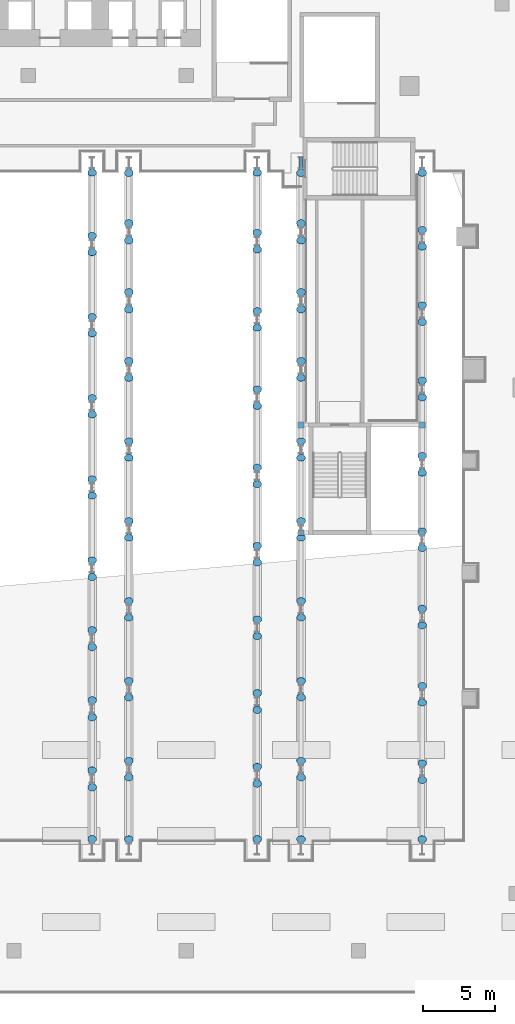
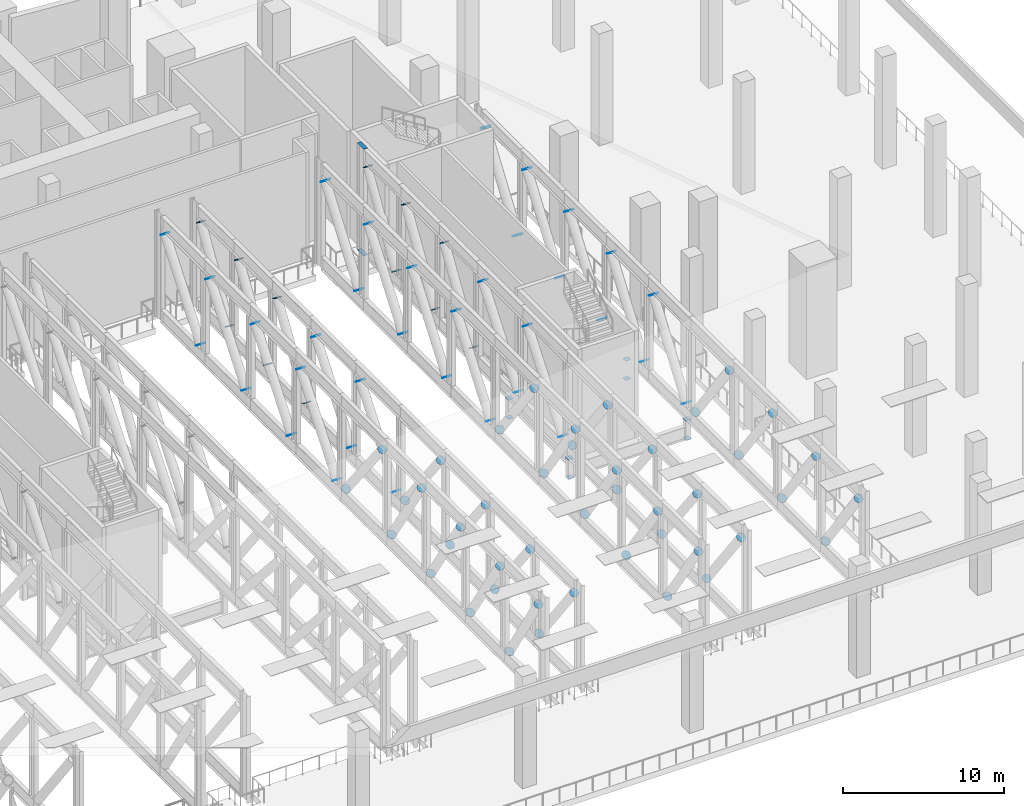
# One storey, part 19 of 33: 100 discrete accessories.
"""IFC4 building model written with IfcOpenShell, lengths in metres."""

from ifc_helpers import new_model, si_unit, direction, frame, origin, origin_2d, place, context, subcontext, project, spatial, rectangle, circle, extrude, material, material_profile, profile_set, type_object, element, save


model = new_model("IFC4")

# Units and contexts
model_context = context("Model", 3, precision=1e-05, world=origin(), true_north=direction((0.0, 1.0)))
body_context = subcontext(model_context, "Body", "Model", "MODEL_VIEW")
ifc_project = project(units=[si_unit("LENGTHUNIT", "METRE"), si_unit("AREAUNIT", "SQUARE_METRE"), si_unit("VOLUMEUNIT", "CUBIC_METRE"), si_unit("PLANEANGLEUNIT", "RADIAN"), si_unit("MASSUNIT", "GRAM", prefix="KILO")], contexts=[model_context])

# Site, building, storey
site_placement = place(None, origin())
site = spatial("IfcSite", under=ifc_project, at=site_placement, CompositionType="ELEMENT")
building_placement = place(site_placement, origin())
building = spatial("IfcBuilding", under=site, at=building_placement, Name="Wharfspan Tower", CompositionType="ELEMENT")
storey_placement = place(building_placement, frame((0.0, 0.0, 33.0)))
storey = spatial("IfcBuildingStorey", under=building, at=storey_placement, Name="L05", CompositionType="ELEMENT", Elevation=33.0)

# Discrete accessories
ifc_material_1 = material(Name="Steel S460NH", Category="steel")
ifc_material_profile_1 = material_profile(ifc_material_1, circle(Radius=0.304932, at=origin_2d()))
ifc_profile_set_1 = profile_set([ifc_material_profile_1], Name="Steel S460NH")
discrete_accessory_type_1 = type_object("IfcDiscreteAccessoryType", Name="End plate CHS 610x30", PredefinedType="BRACKET", material=ifc_profile_set_1)
discrete_accessory_1_placement = place(storey_placement, frame((57.441895, -21.215576, 6.94458), z_axis=(0.0, 0.543251, -0.83957), x_axis=(-1.0, 0.0, 0.0)))
element("IfcDiscreteAccessory", 1, at=discrete_accessory_1_placement, inside=storey, type_object=discrete_accessory_type_1, Name="End plate CHS 610x30", PredefinedType="BRACKET", context=body_context, shape_type="SweptSolid", body=[
    extrude(circle(Radius=0.304932, at=origin_2d()), origin(), (0.0, 0.0, 1.0), 0.009766),
])
discrete_accessory_2_placement = place(storey_placement, frame((57.441895, -17.607666, 1.163818), z_axis=(0.0, 0.514496, -0.857493), x_axis=(-1.0, 0.0, 0.0)))
element("IfcDiscreteAccessory", 2, at=discrete_accessory_2_placement, inside=storey, type_object=discrete_accessory_type_1, Name="End plate CHS 610x30", PredefinedType="BRACKET", context=body_context, shape_type="SweptSolid", body=[
    extrude(circle(Radius=0.304932, at=origin_2d()), origin(), (0.0, 0.0, 1.0), 0.01001),
])
for number, where, z_axis, x_axis, name in (
    (3, (57.441895, -16.429443, 6.941406), (0.0, 0.543251, -0.83957), (-1.0, 0.0, 0.0), "End plate CHS 610x30"),
    (4, (57.441895, -12.720947, 1.166992), (0.0, 0.543251, -0.83957), (-1.0, 0.0, 0.0), "End plate CHS 610x30"),
    (5, (57.441895, -11.544434, 6.941406), (0.0, 0.543251, -0.83957), (-1.0, 0.0, 0.0), "End plate CHS 610x30"),
):
    element("IfcDiscreteAccessory", number, at=place(storey_placement, frame(where, z_axis=z_axis, x_axis=x_axis)), inside=storey, type_object=discrete_accessory_type_1, Name=name, PredefinedType="BRACKET", context=body_context, shape_type="SweptSolid", body=[
        extrude(circle(Radius=0.304932, at=origin_2d()), origin(), (0.0, 0.0, 1.0), 0.009766),
    ])
discrete_accessory_3_placement = place(storey_placement, frame((57.441895, -7.836914, 1.166992), z_axis=(0.0, 0.532172, -0.846637), x_axis=(-1.0, 0.0, 0.0)))
element("IfcDiscreteAccessory", 6, at=discrete_accessory_3_placement, inside=storey, type_object=discrete_accessory_type_1, Name="End plate CHS 610x30", PredefinedType="BRACKET", context=body_context, shape_type="SweptSolid", body=[
    extrude(circle(Radius=0.304932, at=origin_2d()), origin(), (0.0, 0.0, 1.0), 0.01001),
])
for number, where, z_axis, x_axis, name in (
    (7, (57.441895, -6.6604, 6.941406), (0.0, 0.543251, -0.83957), (-1.0, 0.0, 0.0), "End plate CHS 610x30"),
    (8, (57.441895, -2.951904, 1.166992), (0.0, 0.543251, -0.83957), (-1.0, 0.0, 0.0), "End plate CHS 610x30"),
):
    element("IfcDiscreteAccessory", number, at=place(storey_placement, frame(where, z_axis=z_axis, x_axis=x_axis)), inside=storey, type_object=discrete_accessory_type_1, Name=name, PredefinedType="BRACKET", context=body_context, shape_type="SweptSolid", body=[
        extrude(circle(Radius=0.304932, at=origin_2d()), origin(), (0.0, 0.0, 1.0), 0.009766),
    ])
for number, where, z_axis, x_axis, name in (
    (9, (57.441895, -1.791016, 6.918213), (0.0, 0.603858, -0.797092), (-1.0, 0.0, 0.0), "End plate CHS 610x30"),
    (10, (57.441895, 2.714844, 1.189697), (0.0, 0.615644, -0.788024), (-1.0, 0.0, 0.0), "End plate CHS 610x30"),
    (11, (57.441895, 8.373047, 6.918213), (0.0, -0.603858, -0.797092), (1.0, 0.0, 0.0), "End plate CHS 610x30"),
    (12, (57.441895, 3.867188, 1.189697), (0.0, -0.615644, -0.788024), (1.0, 0.0, 0.0), "End plate CHS 610x30"),
    (13, (57.441895, 14.026123, 6.917969), (0.0, -0.630593, -0.776114), (1.0, 0.0, 0.0), "End plate CHS 610x30"),
    (14, (57.441895, 9.519043, 1.189697), (0.0, -0.615644, -0.788024), (1.0, 0.0, 0.0), "End plate CHS 610x30"),
    (15, (57.441895, 19.677979, 6.918213), (0.0, -0.603858, -0.797092), (1.0, 0.0, 0.0), "End plate CHS 610x30"),
    (16, (57.441895, 15.172119, 1.189697), (0.0, -0.615644, -0.788024), (1.0, 0.0, 0.0), "End plate CHS 610x30"),
    (17, (57.441895, 25.231201, 6.920898), (0.0, -0.603858, -0.797092), (1.0, 0.0, 0.0), "End plate CHS 610x30"),
    (18, (57.441895, 20.825928, 1.187012), (0.0, -0.615644, -0.788024), (1.0, 0.0, 0.0), "End plate CHS 610x30"),
    (19, (60.0, -21.229248, 6.92334), (0.0, 0.588172, -0.808736), (-1.0, 0.0, 0.0), "End plate CHS 610x30"),
    (20, (60.0, -16.912598, 1.184814), (0.0, 0.588172, -0.808736), (-1.0, 0.0, 0.0), "End plate CHS 610x30"),
    (21, (60.0, -15.76123, 6.92041), (0.0, 0.615644, -0.788024), (-1.0, 0.0, 0.0), "End plate CHS 610x30"),
    (22, (60.0, -11.344727, 1.1875), (0.0, 0.603858, -0.797092), (-1.0, 0.0, 0.0), "End plate CHS 610x30"),
    (23, (60.0, -10.195312, 6.92041), (0.0, 0.615644, -0.788024), (-1.0, 0.0, 0.0), "End plate CHS 610x30"),
    (24, (60.0, -5.777832, 1.1875), (0.0, 0.603858, -0.797092), (-1.0, 0.0, 0.0), "End plate CHS 610x30"),
    (25, (60.0, -4.628418, 6.92041), (0.0, 0.615644, -0.788024), (-1.0, 0.0, 0.0), "End plate CHS 610x30"),
    (26, (60.0, -0.210693, 1.1875), (0.0, 0.603858, -0.797092), (-1.0, 0.0, 0.0), "End plate CHS 610x30"),
    (27, (60.0, 5.361328, 6.92041), (0.0, -0.615644, -0.788024), (1.0, 0.0, 0.0), "End plate CHS 610x30"),
    (28, (60.0, 0.944824, 1.1875), (0.0, -0.603858, -0.797092), (1.0, 0.0, 0.0), "End plate CHS 610x30"),
    (29, (60.0, 10.928223, 6.92041), (0.0, -0.615644, -0.788024), (1.0, 0.0, 0.0), "End plate CHS 610x30"),
    (30, (60.0, 6.510742, 1.1875), (0.0, -0.603858, -0.797092), (1.0, 0.0, 0.0), "End plate CHS 610x30"),
    (31, (60.0, 15.712891, 6.944336), (0.0, -0.532172, -0.846637), (1.0, 0.0, 0.0), "End plate CHS 610x30"),
    (32, (60.0, 12.092529, 1.164307), (0.0, -0.532172, -0.846637), (1.0, 0.0, 0.0), "End plate CHS 610x30"),
    (33, (60.0, 20.512695, 6.944336), (0.0, -0.514496, -0.857493), (1.0, 0.0, 0.0), "End plate CHS 610x30"),
    (34, (60.0, 16.892578, 1.164307), (0.0, -0.532172, -0.846637), (1.0, 0.0, 0.0), "End plate CHS 610x30"),
    (35, (60.0, 25.213867, 6.94751), (0.0, -0.532172, -0.846637), (1.0, 0.0, 0.0), "End plate CHS 610x30"),
    (36, (60.0, 21.694336, 1.160889), (0.0, -0.514496, -0.857493), (1.0, 0.0, 0.0), "End plate CHS 610x30"),
    (37, (68.941895, -21.220703, 6.936523), (0.0, 0.560309, -0.828283), (-1.0, 0.0, 0.0), "End plate CHS 610x30"),
    (38, (68.941895, -17.352051, 1.171875), (0.0, 0.560309, -0.828283), (-1.0, 0.0, 0.0), "End plate CHS 610x30"),
    (39, (68.941895, -16.183594, 6.93335), (0.0, 0.560309, -0.828283), (-1.0, 0.0, 0.0), "End plate CHS 610x30"),
):
    element("IfcDiscreteAccessory", number, at=place(storey_placement, frame(where, z_axis=z_axis, x_axis=x_axis)), inside=storey, type_object=discrete_accessory_type_1, Name=name, PredefinedType="BRACKET", context=body_context, shape_type="SweptSolid", body=[
        extrude(circle(Radius=0.304932, at=origin_2d()), origin(), (0.0, 0.0, 1.0), 0.01001),
    ])
discrete_accessory_4_placement = place(storey_placement, frame((68.941895, -12.213135, 1.175049), z_axis=(0.0, 0.576683, -0.816968), x_axis=(-1.0, 0.0, 0.0)))
element("IfcDiscreteAccessory", 40, at=discrete_accessory_4_placement, inside=storey, type_object=discrete_accessory_type_1, Name="End plate CHS 610x30", PredefinedType="BRACKET", context=body_context, shape_type="SweptSolid", body=[
    extrude(circle(Radius=0.304932, at=origin_2d()), origin(), (0.0, 0.0, 1.0), 0.010254),
])
for number, where, z_axis, x_axis, name in (
    (41, (68.941895, -11.046631, 6.93335), (0.0, 0.560309, -0.828283), (-1.0, 0.0, 0.0), "End plate CHS 610x30"),
    (42, (68.941895, -7.077148, 1.174805), (0.0, 0.588172, -0.808736), (-1.0, 0.0, 0.0), "End plate CHS 610x30"),
    (43, (68.941895, -5.910645, 6.93335), (0.0, 0.560309, -0.828283), (-1.0, 0.0, 0.0), "End plate CHS 610x30"),
    (44, (68.941895, -1.941162, 1.174805), (0.0, 0.588172, -0.808736), (-1.0, 0.0, 0.0), "End plate CHS 610x30"),
    (45, (68.941895, -0.781006, 6.923828), (0.0, 0.603858, -0.797092), (-1.0, 0.0, 0.0), "End plate CHS 610x30"),
):
    element("IfcDiscreteAccessory", number, at=place(storey_placement, frame(where, z_axis=z_axis, x_axis=x_axis)), inside=storey, type_object=discrete_accessory_type_1, Name=name, PredefinedType="BRACKET", context=body_context, shape_type="SweptSolid", body=[
        extrude(circle(Radius=0.304932, at=origin_2d()), origin(), (0.0, 0.0, 1.0), 0.01001),
    ])
discrete_accessory_5_placement = place(storey_placement, frame((68.941895, 3.516113, 1.184082), z_axis=(0.0, 0.6, -0.8), x_axis=(-1.0, 0.0, 0.0)))
element("IfcDiscreteAccessory", 46, at=discrete_accessory_5_placement, inside=storey, type_object=discrete_accessory_type_1, Name="End plate CHS 610x30", PredefinedType="BRACKET", context=body_context, shape_type="SweptSolid", body=[
    extrude(circle(Radius=0.304932, at=origin_2d()), origin(), (0.0, 0.0, 1.0), 0.009766),
])
for number, where, z_axis, x_axis, name in (
    (47, (68.941895, 8.9729, 6.923828), (0.0, -0.588172, -0.808736), (1.0, 0.0, 0.0), "End plate CHS 610x30"),
    (48, (68.941895, 4.676025, 1.184082), (0.0, -0.615644, -0.788024), (1.0, 0.0, 0.0), "End plate CHS 610x30"),
    (49, (68.941895, 14.424072, 6.923828), (0.0, -0.603858, -0.797092), (1.0, 0.0, 0.0), "End plate CHS 610x30"),
):
    element("IfcDiscreteAccessory", number, at=place(storey_placement, frame(where, z_axis=z_axis, x_axis=x_axis)), inside=storey, type_object=discrete_accessory_type_1, Name=name, PredefinedType="BRACKET", context=body_context, shape_type="SweptSolid", body=[
        extrude(circle(Radius=0.304932, at=origin_2d()), origin(), (0.0, 0.0, 1.0), 0.01001),
    ])
discrete_accessory_6_placement = place(storey_placement, frame((68.941895, 10.126953, 1.184082), z_axis=(0.0, -0.6, -0.8), x_axis=(1.0, 0.0, 0.0)))
element("IfcDiscreteAccessory", 50, at=discrete_accessory_6_placement, inside=storey, type_object=discrete_accessory_type_1, Name="End plate CHS 610x30", PredefinedType="BRACKET", context=body_context, shape_type="SweptSolid", body=[
    extrude(circle(Radius=0.304932, at=origin_2d()), origin(), (0.0, 0.0, 1.0), 0.009766),
])
discrete_accessory_7_placement = place(storey_placement, frame((68.941895, 19.875, 6.923828), z_axis=(0.0, -0.603858, -0.797092), x_axis=(1.0, 0.0, 0.0)))
element("IfcDiscreteAccessory", 51, at=discrete_accessory_7_placement, inside=storey, type_object=discrete_accessory_type_1, Name="End plate CHS 610x30", PredefinedType="BRACKET", context=body_context, shape_type="SweptSolid", body=[
    extrude(circle(Radius=0.304932, at=origin_2d()), origin(), (0.0, 0.0, 1.0), 0.01001),
])
discrete_accessory_8_placement = place(storey_placement, frame((68.941895, 15.577881, 1.184082), z_axis=(0.0, -0.6, -0.8), x_axis=(1.0, 0.0, 0.0)))
element("IfcDiscreteAccessory", 52, at=discrete_accessory_8_placement, inside=storey, type_object=discrete_accessory_type_1, Name="End plate CHS 610x30", PredefinedType="BRACKET", context=body_context, shape_type="SweptSolid", body=[
    extrude(circle(Radius=0.304932, at=origin_2d()), origin(), (0.0, 0.0, 1.0), 0.009766),
])
for number, where, z_axis, x_axis, name in (
    (53, (68.941895, 25.227051, 6.926758), (0.0, -0.588172, -0.808736), (1.0, 0.0, 0.0), "End plate CHS 610x30"),
    (54, (68.941895, 21.030762, 1.181396), (0.0, -0.588172, -0.808736), (1.0, 0.0, 0.0), "End plate CHS 610x30"),
    (55, (72.0, -21.229248, 6.92334), (0.0, 0.588172, -0.808736), (-1.0, 0.0, 0.0), "End plate CHS 610x30"),
    (56, (72.0, -16.912598, 1.184814), (0.0, 0.588172, -0.808736), (-1.0, 0.0, 0.0), "End plate CHS 610x30"),
    (57, (72.0, -15.76123, 6.92041), (0.0, 0.615644, -0.788024), (-1.0, 0.0, 0.0), "End plate CHS 610x30"),
    (58, (72.0, -11.344727, 1.1875), (0.0, 0.603858, -0.797092), (-1.0, 0.0, 0.0), "End plate CHS 610x30"),
    (59, (72.0, -10.195312, 6.92041), (0.0, 0.615644, -0.788024), (-1.0, 0.0, 0.0), "End plate CHS 610x30"),
    (60, (72.0, -5.777832, 1.1875), (0.0, 0.603858, -0.797092), (-1.0, 0.0, 0.0), "End plate CHS 610x30"),
    (61, (72.0, -4.628418, 6.92041), (0.0, 0.615644, -0.788024), (-1.0, 0.0, 0.0), "End plate CHS 610x30"),
    (62, (72.0, -0.210693, 1.1875), (0.0, 0.603858, -0.797092), (-1.0, 0.0, 0.0), "End plate CHS 610x30"),
    (63, (72.0, 5.361328, 6.92041), (0.0, -0.615644, -0.788024), (1.0, 0.0, 0.0), "End plate CHS 610x30"),
    (64, (72.0, 0.944824, 1.1875), (0.0, -0.603858, -0.797092), (1.0, 0.0, 0.0), "End plate CHS 610x30"),
    (65, (72.0, 10.928223, 6.92041), (0.0, -0.615644, -0.788024), (1.0, 0.0, 0.0), "End plate CHS 610x30"),
    (66, (72.0, 6.510742, 1.1875), (0.0, -0.603858, -0.797092), (1.0, 0.0, 0.0), "End plate CHS 610x30"),
    (67, (72.0, 15.712891, 6.944336), (0.0, -0.532172, -0.846637), (1.0, 0.0, 0.0), "End plate CHS 610x30"),
    (68, (72.0, 12.092529, 1.164307), (0.0, -0.532172, -0.846637), (1.0, 0.0, 0.0), "End plate CHS 610x30"),
    (69, (72.0, 20.512695, 6.944336), (0.0, -0.514496, -0.857493), (1.0, 0.0, 0.0), "End plate CHS 610x30"),
    (70, (72.0, 16.892578, 1.164307), (0.0, -0.532172, -0.846637), (1.0, 0.0, 0.0), "End plate CHS 610x30"),
    (71, (72.0, 25.213867, 6.94751), (0.0, -0.532172, -0.846637), (1.0, 0.0, 0.0), "End plate CHS 610x30"),
    (72, (72.0, 21.694336, 1.160889), (0.0, -0.514496, -0.857493), (1.0, 0.0, 0.0), "End plate CHS 610x30"),
    (73, (80.441895, -21.22583, 6.928467), (0.0, 0.588172, -0.808736), (-1.0, 0.0, 0.0), "End plate CHS 610x30"),
):
    element("IfcDiscreteAccessory", number, at=place(storey_placement, frame(where, z_axis=z_axis, x_axis=x_axis)), inside=storey, type_object=discrete_accessory_type_1, Name=name, PredefinedType="BRACKET", context=body_context, shape_type="SweptSolid", body=[
        extrude(circle(Radius=0.304932, at=origin_2d()), origin(), (0.0, 0.0, 1.0), 0.01001),
    ])
discrete_accessory_9_placement = place(storey_placement, frame((80.441895, -17.094971, 1.179443), z_axis=(0.0, 0.571793, -0.820398), x_axis=(-1.0, 0.0, 0.0)))
element("IfcDiscreteAccessory", 74, at=discrete_accessory_9_placement, inside=storey, type_object=discrete_accessory_type_1, Name="End plate CHS 610x30", PredefinedType="BRACKET", context=body_context, shape_type="SweptSolid", body=[
    extrude(circle(Radius=0.304932, at=origin_2d()), origin(), (0.0, 0.0, 1.0), 0.009766),
])
for number, where, z_axis, x_axis, name in (
    (75, (80.441895, -15.936768, 6.925781), (0.0, 0.588172, -0.808736), (-1.0, 0.0, 0.0), "End plate CHS 610x30"),
    (76, (80.441895, -11.705322, 1.182373), (0.0, 0.603858, -0.797092), (-1.0, 0.0, 0.0), "End plate CHS 610x30"),
    (77, (80.441895, -10.548584, 6.925781), (0.0, 0.588172, -0.808736), (-1.0, 0.0, 0.0), "End plate CHS 610x30"),
    (78, (80.441895, -6.318115, 1.182373), (0.0, 0.588172, -0.808736), (-1.0, 0.0, 0.0), "End plate CHS 610x30"),
    (79, (80.441895, -5.161621, 6.925781), (0.0, 0.588172, -0.808736), (-1.0, 0.0, 0.0), "End plate CHS 610x30"),
    (80, (80.441895, -0.930176, 1.182373), (0.0, 0.588172, -0.808736), (-1.0, 0.0, 0.0), "End plate CHS 610x30"),
):
    element("IfcDiscreteAccessory", number, at=place(storey_placement, frame(where, z_axis=z_axis, x_axis=x_axis)), inside=storey, type_object=discrete_accessory_type_1, Name=name, PredefinedType="BRACKET", context=body_context, shape_type="SweptSolid", body=[
        extrude(circle(Radius=0.304932, at=origin_2d()), origin(), (0.0, 0.0, 1.0), 0.01001),
    ])
discrete_accessory_10_placement = place(storey_placement, frame((80.441895, 4.322998, 6.929932), z_axis=(0.0, -0.576683, -0.816968), x_axis=(1.0, 0.0, 0.0)))
element("IfcDiscreteAccessory", 81, at=discrete_accessory_10_placement, inside=storey, type_object=discrete_accessory_type_1, Name="End plate CHS 610x30", PredefinedType="BRACKET", context=body_context, shape_type="SweptSolid", body=[
    extrude(circle(Radius=0.304932, at=origin_2d()), origin(), (0.0, 0.0, 1.0), 0.010254),
])
discrete_accessory_11_placement = place(storey_placement, frame((80.441895, 0.234863, 1.178223), z_axis=(0.0, -0.588172, -0.808736), x_axis=(1.0, 0.0, 0.0)))
element("IfcDiscreteAccessory", 82, at=discrete_accessory_11_placement, inside=storey, type_object=discrete_accessory_type_1, Name="End plate CHS 610x30", PredefinedType="BRACKET", context=body_context, shape_type="SweptSolid", body=[
    extrude(circle(Radius=0.304932, at=origin_2d()), origin(), (0.0, 0.0, 1.0), 0.01001),
])
discrete_accessory_12_placement = place(storey_placement, frame((80.441895, 9.572998, 6.929932), z_axis=(0.0, -0.576683, -0.816968), x_axis=(1.0, 0.0, 0.0)))
element("IfcDiscreteAccessory", 83, at=discrete_accessory_12_placement, inside=storey, type_object=discrete_accessory_type_1, Name="End plate CHS 610x30", PredefinedType="BRACKET", context=body_context, shape_type="SweptSolid", body=[
    extrude(circle(Radius=0.304932, at=origin_2d()), origin(), (0.0, 0.0, 1.0), 0.010254),
])
discrete_accessory_13_placement = place(storey_placement, frame((80.441895, 5.484863, 1.178223), z_axis=(0.0, -0.588172, -0.808736), x_axis=(1.0, 0.0, 0.0)))
element("IfcDiscreteAccessory", 84, at=discrete_accessory_13_placement, inside=storey, type_object=discrete_accessory_type_1, Name="End plate CHS 610x30", PredefinedType="BRACKET", context=body_context, shape_type="SweptSolid", body=[
    extrude(circle(Radius=0.304932, at=origin_2d()), origin(), (0.0, 0.0, 1.0), 0.01001),
])
discrete_accessory_14_placement = place(storey_placement, frame((80.441895, 14.822021, 6.929932), z_axis=(0.0, -0.576683, -0.816968), x_axis=(1.0, 0.0, 0.0)))
element("IfcDiscreteAccessory", 85, at=discrete_accessory_14_placement, inside=storey, type_object=discrete_accessory_type_1, Name="End plate CHS 610x30", PredefinedType="BRACKET", context=body_context, shape_type="SweptSolid", body=[
    extrude(circle(Radius=0.304932, at=origin_2d()), origin(), (0.0, 0.0, 1.0), 0.010254),
])
discrete_accessory_15_placement = place(storey_placement, frame((80.441895, 10.734863, 1.178223), z_axis=(0.0, -0.588172, -0.808736), x_axis=(1.0, 0.0, 0.0)))
element("IfcDiscreteAccessory", 86, at=discrete_accessory_15_placement, inside=storey, type_object=discrete_accessory_type_1, Name="End plate CHS 610x30", PredefinedType="BRACKET", context=body_context, shape_type="SweptSolid", body=[
    extrude(circle(Radius=0.304932, at=origin_2d()), origin(), (0.0, 0.0, 1.0), 0.01001),
])
discrete_accessory_16_placement = place(storey_placement, frame((80.441895, 20.072021, 6.929932), z_axis=(0.0, -0.576683, -0.816968), x_axis=(1.0, 0.0, 0.0)))
element("IfcDiscreteAccessory", 87, at=discrete_accessory_16_placement, inside=storey, type_object=discrete_accessory_type_1, Name="End plate CHS 610x30", PredefinedType="BRACKET", context=body_context, shape_type="SweptSolid", body=[
    extrude(circle(Radius=0.304932, at=origin_2d()), origin(), (0.0, 0.0, 1.0), 0.010254),
])
for number, where, z_axis, x_axis, name in (
    (88, (80.441895, 15.983887, 1.178223), (0.0, -0.588172, -0.808736), (1.0, 0.0, 0.0), "End plate CHS 610x30"),
    (89, (80.441895, 25.2229, 6.932861), (0.0, -0.560309, -0.828283), (1.0, 0.0, 0.0), "End plate CHS 610x30"),
    (90, (80.441895, 21.23584, 1.175293), (0.0, -0.588172, -0.808736), (1.0, 0.0, 0.0), "End plate CHS 610x30"),
):
    element("IfcDiscreteAccessory", number, at=place(storey_placement, frame(where, z_axis=z_axis, x_axis=x_axis)), inside=storey, type_object=discrete_accessory_type_1, Name=name, PredefinedType="BRACKET", context=body_context, shape_type="SweptSolid", body=[
        extrude(circle(Radius=0.304932, at=origin_2d()), origin(), (0.0, 0.0, 1.0), 0.01001),
    ])
ifc_material_2 = material(Name="Steel S355J2", Category="steel")
ifc_material_profile_2 = material_profile(ifc_material_2, rectangle(XDim=0.302979, YDim=0.813965, at=origin_2d()))
ifc_profile_set_2 = profile_set([ifc_material_profile_2], Name="Steel S355J2")
discrete_accessory_type_2 = type_object("IfcDiscreteAccessoryType", Name="End plate HE 800 M", PredefinedType="BRACKET", material=ifc_profile_set_2)
for number, where, z_axis, x_axis, name in (
    (91, (72.0, 25.899902, -0.01001), (0.0, 0.0, 1.0), (1.0, 0.0, 0.0), "End plate HE 800 M"),
    (92, (72.0, 25.899902, 8.100098), (0.0, 0.0, 1.0), (1.0, 0.0, 0.0), "End plate HE 800 M"),
):
    element("IfcDiscreteAccessory", number, at=place(storey_placement, frame(where, z_axis=z_axis, x_axis=x_axis)), inside=storey, type_object=discrete_accessory_type_2, Name=name, PredefinedType="BRACKET", context=body_context, shape_type="SweptSolid", body=[
        extrude(rectangle(XDim=0.302979, YDim=0.813965, at=origin_2d()), origin(), (0.0, 0.0, 1.0), 0.01001),
    ])
ifc_material_profile_3 = material_profile(ifc_material_1, rectangle(XDim=0.399902, YDim=0.399902, at=origin_2d()))
ifc_profile_set_3 = profile_set([ifc_material_profile_3], Name="Steel S460NH")
discrete_accessory_type_3 = type_object("IfcDiscreteAccessoryType", Name="End plate SHS 400x400x20", PredefinedType="BRACKET", material=ifc_profile_set_3)
for number, where, z_axis, x_axis, name in (
    (93, (72.0, 0.14209, -1.468018), (0.0, 0.0, 1.0), (1.0, 0.0, 0.0), "End plate SHS 400x400x20"),
    (94, (72.0, 0.14209, 0.0), (0.0, 0.0, 1.0), (1.0, 0.0, 0.0), "End plate SHS 400x400x20"),
    (95, (80.441895, 0.14209, -1.468018), (0.0, 0.0, 1.0), (1.0, 0.0, 0.0), "End plate SHS 400x400x20"),
    (96, (80.441895, 0.14209, 0.0), (0.0, 0.0, 1.0), (1.0, 0.0, 0.0), "End plate SHS 400x400x20"),
    (97, (72.0, 7.64209, -1.468018), (0.0, 0.0, 1.0), (1.0, 0.0, 0.0), "End plate SHS 400x400x20"),
    (98, (72.0, 7.64209, 0.0), (0.0, 0.0, 1.0), (1.0, 0.0, 0.0), "End plate SHS 400x400x20"),
    (99, (80.441895, 7.64209, -1.468018), (0.0, 0.0, 1.0), (1.0, 0.0, 0.0), "End plate SHS 400x400x20"),
    (100, (80.441895, 7.64209, 0.0), (0.0, 0.0, 1.0), (1.0, 0.0, 0.0), "End plate SHS 400x400x20"),
):
    element("IfcDiscreteAccessory", number, at=place(storey_placement, frame(where, z_axis=z_axis, x_axis=x_axis)), inside=storey, type_object=discrete_accessory_type_3, Name=name, PredefinedType="BRACKET", context=body_context, shape_type="SweptSolid", body=[
        extrude(rectangle(XDim=0.399902, YDim=0.399902, at=origin_2d()), origin(), (0.0, 0.0, 1.0), 0.01001),
    ])

save(model, "model.ifc")
